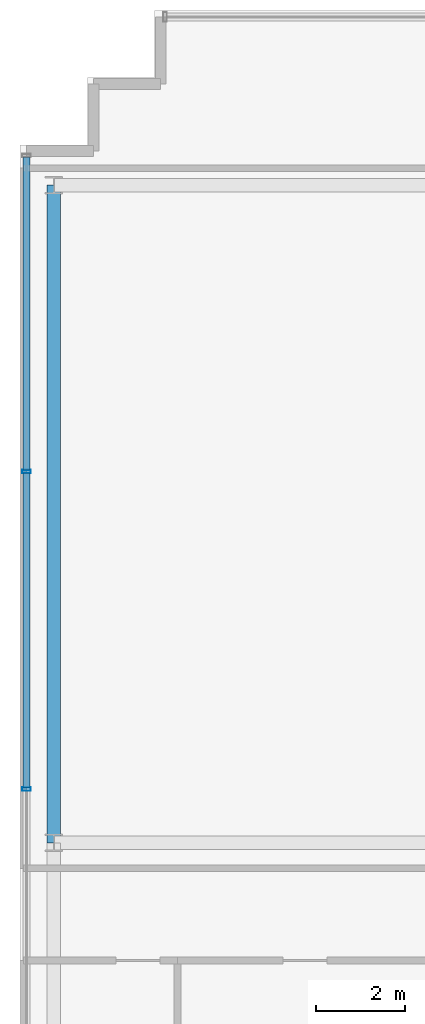
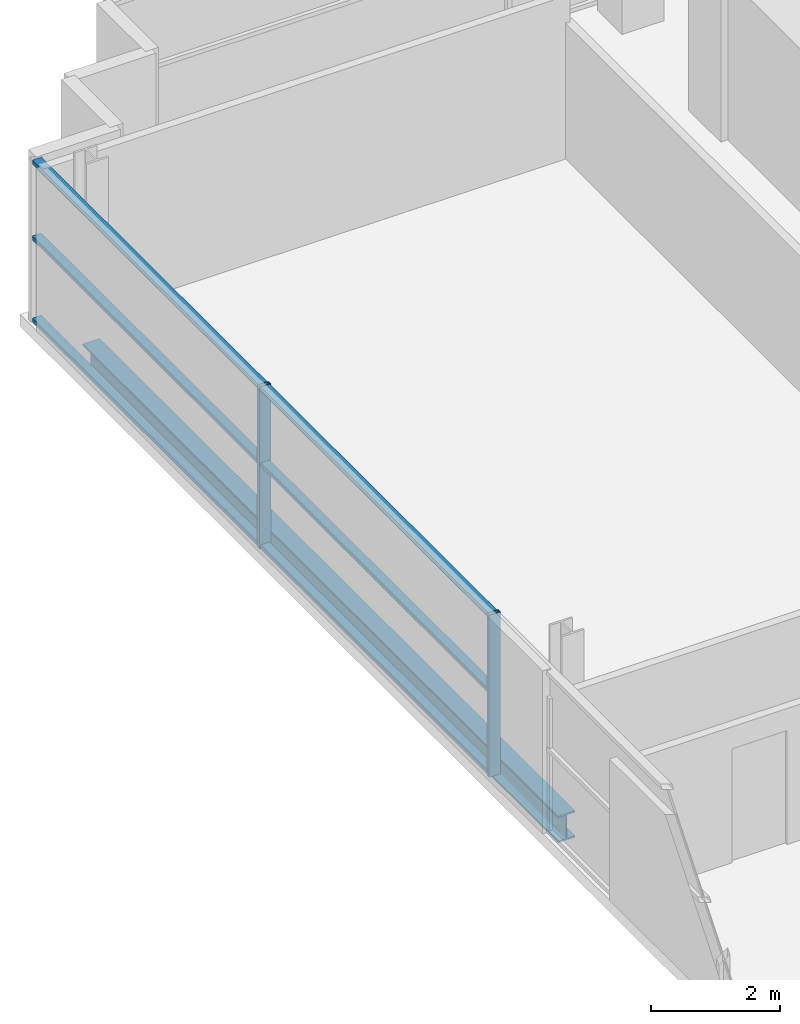
# One storey, part 9 of 23: 8 members, 1 beam, 1 element without a shape of its own.
"""IFC4 building model written with IfcOpenShell, lengths in metres."""

from ifc_helpers import new_model, si_unit, direction, frame, origin, origin_2d, place, context, subcontext, project, spatial, hollow_rectangle, i_section, extrude, source, transform, mapped, material, layer, layer_set, material_profile, profile_set, type_object, element, aggregate, save


model = new_model("IFC4")

# Units and contexts
model_context = context("Model", 3, precision=1e-05, world=origin(), true_north=direction((0.0, 1.0)))
body_context = subcontext(model_context, "Body", "Model", "MODEL_VIEW")
ifc_project = project(units=[si_unit("LENGTHUNIT", "METRE"), si_unit("AREAUNIT", "SQUARE_METRE"), si_unit("VOLUMEUNIT", "CUBIC_METRE"), si_unit("PLANEANGLEUNIT", "RADIAN"), si_unit("MASSUNIT", "GRAM", prefix="KILO")], contexts=[model_context])

# Site, building, storey
site_placement = place(None, origin())
site = spatial("IfcSite", under=ifc_project, at=site_placement, CompositionType="ELEMENT")
building_placement = place(site_placement, origin())
building = spatial("IfcBuilding", under=site, at=building_placement, Name="Zarnakvel Exchange Tower", CompositionType="ELEMENT")
storey_placement = place(building_placement, frame((0.0, 0.0, 149.5)))
storey = spatial("IfcBuildingStorey", under=building, at=storey_placement, Name="L41", CompositionType="ELEMENT", Elevation=149.5)

# Beam
ifc_material_1 = material(Name="Steel S355", Category="steel")
ifc_material_profile_1 = material_profile(ifc_material_1, i_section(OverallWidth=0.300048828125, OverallDepth=0.5, WebThickness=0.014404296875, FlangeThickness=0.028076171875, FilletRadius=0.027099609375, at=origin_2d()))
ifc_profile_set_1 = profile_set([ifc_material_profile_1], Name="Steel S355")
beam_type = type_object("IfcBeamType", Name="SP-02", PredefinedType="SPANDREL", material=ifc_profile_set_1)
beam_placement = place(storey_placement, frame((-25.85009765625, -1.199951171875, -0.47509765625), z_axis=(0.0, 1.0, 0.0), x_axis=(-1.0, 0.0, 0.0)))
element("IfcBeam", 1, at=beam_placement, inside=storey, type_object=beam_type, Name="L41 Tower N-S Frame Beam", PredefinedType="SPANDREL", context=body_context, shape_type="SweptSolid", body=[
    extrude(i_section(OverallWidth=0.300048828125, OverallDepth=0.5, WebThickness=0.014404296875, FlangeThickness=0.028076171875, FilletRadius=0.027099609375, at=origin_2d()), origin(), (0.0, 0.0, 1.0), 14.699951171875),
])

# Curtain wall, members
ifc_material_2 = material(Name="Architectural Bronze Anodised Aluminium", Category="aluminium")
ifc_layer = layer(ifc_material_2, 0.199951171875)
ifc_layer_set = layer_set([ifc_layer], Name="Architectural Bronze Anodised Aluminium")
curtain_wall_type = type_object("IfcCurtainWallType", Name="CW-04", PredefinedType="NOTDEFINED", material=ifc_layer_set)
curtain_wall_placement = place(storey_placement, origin())
curtain_wall = element("IfcCurtainWall", 2, at=curtain_wall_placement, inside=storey, type_object=curtain_wall_type, Name="L41 Curtain Wall CW-L41-W1 (CW-04)", PredefinedType="NOTDEFINED")
ifc_material_profile_2 = material_profile(ifc_material_2, hollow_rectangle(XDim=0.199951171875, YDim=0.074951171875, WallThickness=0.0048828125, at=origin_2d()))
ifc_profile_set_2 = profile_set([ifc_material_profile_2], Name="Architectural Bronze Anodised Aluminium")
member_type_1 = type_object("IfcMemberType", Name="CWM-04", PredefinedType="MULLION", material=ifc_profile_set_2)
shared_shape_1 = source(origin(), body_context, "Body", "SweptSolid", [
    extrude(hollow_rectangle(XDim=0.199951171875, YDim=0.074951171875, WallThickness=0.0048828125, at=origin_2d()), origin(), (0.0, 0.0, 1.0), 3.054931640625),
])
member_1_placement = place(storey_placement, frame((-26.4599609375, 0.0, 0.0), z_axis=(0.0, 0.0, 1.0), x_axis=(-1.0, 0.0, 0.0)))
member_1 = element("IfcMember", 3, at=member_1_placement, type_object=member_type_1, Name="CW-04 mullion 3", PredefinedType="MULLION", context=body_context, shape_type="MappedRepresentation", body=[
    mapped(shared_shape_1, transform((0.0, 0.0, 0.0), x_axis=(1.0, 0.0, 0.0), y_axis=(0.0, 1.0, 0.0), z_axis=(0.0, 0.0, 1.0), scale=1.0)),
])
member_2_placement = place(storey_placement, frame((-26.4599609375, 7.10009765625, 0.0), z_axis=(0.0, 0.0, 1.0), x_axis=(-1.0, 0.0, 0.0)))
member_2 = element("IfcMember", 4, at=member_2_placement, type_object=member_type_1, Name="CW-04 mullion 4", PredefinedType="MULLION", context=body_context, shape_type="MappedRepresentation", body=[
    mapped(shared_shape_1, transform((0.0, 0.0, 0.0), x_axis=(1.0, 0.0, 0.0), y_axis=(0.0, 1.0, 0.0), z_axis=(0.0, 0.0, 1.0), scale=1.0)),
])
ifc_material_profile_3 = material_profile(ifc_material_2, hollow_rectangle(XDim=0.159912109375, YDim=0.074951171875, WallThickness=0.00390625, at=origin_2d()))
ifc_profile_set_3 = profile_set([ifc_material_profile_3], Name="Architectural Bronze Anodised Aluminium")
member_type_2 = type_object("IfcMemberType", Name="CWT-04", PredefinedType="USERDEFINED", material=ifc_profile_set_3)
shared_shape_2 = source(origin(), body_context, "Body", "SweptSolid", [
    extrude(hollow_rectangle(XDim=0.159912109375, YDim=0.074951171875, WallThickness=0.00390625, at=origin_2d()), origin(), (0.0, 0.0, 1.0), 6.987548828125),
])
member_3_placement = place(storey_placement, frame((-26.4599609375, 7.137451171875, 0.03759765625), z_axis=(0.0, 1.0, 0.0), x_axis=(-1.0, 0.0, 0.0)))
member_3 = element("IfcMember", 5, at=member_3_placement, type_object=member_type_2, Name="CW-04 transom 4.1", ObjectType="TRANSOM", PredefinedType="USERDEFINED", context=body_context, shape_type="MappedRepresentation", body=[
    mapped(shared_shape_2, transform((0.0, 0.0, 0.0), x_axis=(1.0, 0.0, 0.0), y_axis=(0.0, 1.0, 0.0), z_axis=(0.0, 0.0, 1.0), scale=1.0)),
])
member_4_placement = place(storey_placement, frame((-26.4599609375, 7.137451171875, 1.588623046875), z_axis=(0.0, 1.0, 0.0), x_axis=(-1.0, 0.0, 0.0)))
member_4 = element("IfcMember", 6, at=member_4_placement, type_object=member_type_2, Name="CW-04 transom 4.2", ObjectType="TRANSOM", PredefinedType="USERDEFINED", context=body_context, shape_type="MappedRepresentation", body=[
    mapped(shared_shape_2, transform((0.0, 0.0, 0.0), x_axis=(1.0, 0.0, 0.0), y_axis=(0.0, 1.0, 0.0), z_axis=(0.0, 0.0, 1.0), scale=1.0)),
])
member_5_placement = place(storey_placement, frame((-26.4599609375, 7.137451171875, 3.017578125), z_axis=(0.0, 1.0, 0.0), x_axis=(-1.0, 0.0, 0.0)))
member_5 = element("IfcMember", 7, at=member_5_placement, type_object=member_type_2, Name="CW-04 transom 4.3", ObjectType="TRANSOM", PredefinedType="USERDEFINED", context=body_context, shape_type="MappedRepresentation", body=[
    mapped(shared_shape_2, transform((0.0, 0.0, 0.0), x_axis=(1.0, 0.0, 0.0), y_axis=(0.0, 1.0, 0.0), z_axis=(0.0, 0.0, 1.0), scale=1.0)),
])
shared_shape_3 = source(origin(), body_context, "Body", "SweptSolid", [
    extrude(hollow_rectangle(XDim=0.159912109375, YDim=0.074951171875, WallThickness=0.00390625, at=origin_2d()), origin(), (0.0, 0.0, 1.0), 7.02490234375),
])
member_6_placement = place(storey_placement, frame((-26.4599609375, 0.03759765625, 0.03759765625), z_axis=(0.0, 1.0, 0.0), x_axis=(-1.0, 0.0, 0.0)))
member_6 = element("IfcMember", 8, at=member_6_placement, type_object=member_type_2, Name="CW-04 transom 3.1", ObjectType="TRANSOM", PredefinedType="USERDEFINED", context=body_context, shape_type="MappedRepresentation", body=[
    mapped(shared_shape_3, transform((0.0, 0.0, 0.0), x_axis=(1.0, 0.0, 0.0), y_axis=(0.0, 1.0, 0.0), z_axis=(0.0, 0.0, 1.0), scale=1.0)),
])
member_7_placement = place(storey_placement, frame((-26.4599609375, 0.03759765625, 1.588623046875), z_axis=(0.0, 1.0, 0.0), x_axis=(-1.0, 0.0, 0.0)))
member_7 = element("IfcMember", 9, at=member_7_placement, type_object=member_type_2, Name="CW-04 transom 3.2", ObjectType="TRANSOM", PredefinedType="USERDEFINED", context=body_context, shape_type="MappedRepresentation", body=[
    mapped(shared_shape_3, transform((0.0, 0.0, 0.0), x_axis=(1.0, 0.0, 0.0), y_axis=(0.0, 1.0, 0.0), z_axis=(0.0, 0.0, 1.0), scale=1.0)),
])
member_8_placement = place(storey_placement, frame((-26.4599609375, 0.03759765625, 3.017578125), z_axis=(0.0, 1.0, 0.0), x_axis=(-1.0, 0.0, 0.0)))
member_8 = element("IfcMember", 10, at=member_8_placement, type_object=member_type_2, Name="CW-04 transom 3.3", ObjectType="TRANSOM", PredefinedType="USERDEFINED", context=body_context, shape_type="MappedRepresentation", body=[
    mapped(shared_shape_3, transform((0.0, 0.0, 0.0), x_axis=(1.0, 0.0, 0.0), y_axis=(0.0, 1.0, 0.0), z_axis=(0.0, 0.0, 1.0), scale=1.0)),
])
aggregate(curtain_wall, [member_1, member_2, member_6, member_7, member_8, member_3, member_4, member_5])

save(model, "model.ifc")
